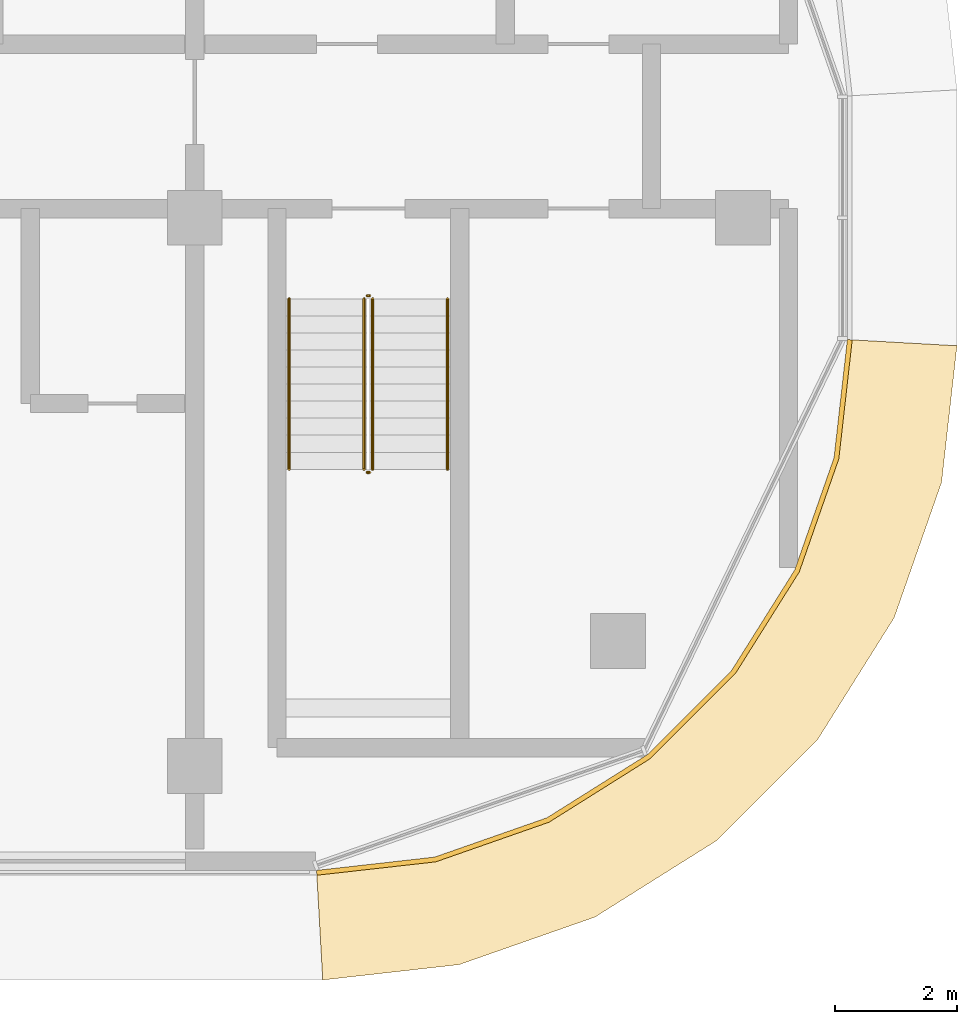
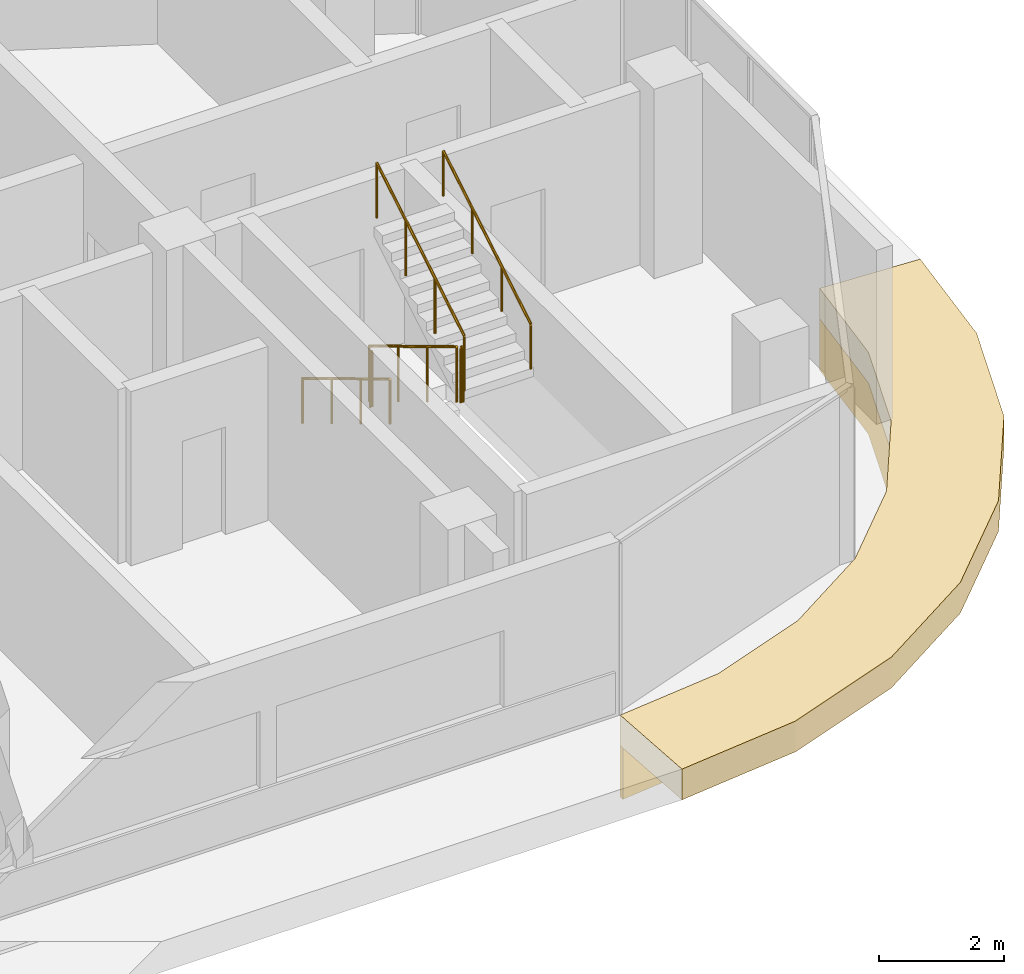
# One storey, part 19 of 20: 6 railings, 2 coverings.
"""IFC4 building model written with IfcOpenShell, lengths in metres."""

from ifc_helpers import new_model, si_unit, direction, frame, origin, origin_2d, place, context, subcontext, project, spatial, polyline, circle, outline, extrude, material, layer, layer_set, type_object, element, save


model = new_model("IFC4")

# Units and contexts
model_context = context("Model", 3, precision=1e-05, world=origin(), true_north=direction((0.0, 1.0)))
body_context = subcontext(model_context, "Body", "Model", "MODEL_VIEW")
ifc_project = project(units=[si_unit("LENGTHUNIT", "METRE"), si_unit("AREAUNIT", "SQUARE_METRE"), si_unit("VOLUMEUNIT", "CUBIC_METRE"), si_unit("PLANEANGLEUNIT", "RADIAN"), si_unit("MASSUNIT", "GRAM", prefix="KILO")], contexts=[model_context])

# Site, building, storey
site_placement = place(None, origin())
site = spatial("IfcSite", under=ifc_project, at=site_placement, CompositionType="ELEMENT")
building_placement = place(site_placement, origin())
building = spatial("IfcBuilding", under=site, at=building_placement, Name="Ogive Portal Towers", CompositionType="ELEMENT")
storey_placement = place(building_placement, frame((0.0, 0.0, 195.800048828125)))
storey = spatial("IfcBuildingStorey", under=building, at=storey_placement, Name="L48", CompositionType="ELEMENT", Elevation=195.800048828125)

# Railings
ifc_material_1 = material(Name="Stainless steel balustrade", Category="steel")
railing_type_1 = type_object("IfcRailingType", Name="INT-GUARD", PredefinedType="GUARDRAIL", material=ifc_material_1)
railing_1_placement = place(storey_placement, frame((88.280029296875, 29.169921875, 0.168212890625)))
element("IfcRailing", 1, at=railing_1_placement, inside=storey, type_object=railing_type_1, Name="L48 ST-A4 stair guard 1", PredefinedType="GUARDRAIL", context=body_context, shape_type="SweptSolid", body=[
    extrude(circle(Radius=0.02392578125, at=origin_2d()), frame((0.0, 0.0, 1.076171875), z_axis=(0.0, -0.857255387014, 0.514891446264), x_axis=(1.0, 0.0, 0.0)), (0.0, 0.0, 1.0), 3.26611328125),
    extrude(circle(Radius=0.02099609375, at=origin_2d()), origin(), (0.0, 0.0, 1.0), 1.052001953125),
    extrude(circle(Radius=0.02099609375, at=origin_2d()), frame((0.0, -0.933349609375, 0.560546875)), (0.0, 0.0, 1.0), 1.052001953125),
    extrude(circle(Radius=0.02099609375, at=origin_2d()), frame((0.0, -1.866455078125, 1.12109375)), (0.0, 0.0, 1.0), 1.052001953125),
    extrude(circle(Radius=0.02099609375, at=origin_2d()), frame((0.0, -2.7998046875, 1.681640625)), (0.0, 0.0, 1.0), 1.052001953125),
])
railing_2_placement = place(storey_placement, frame((88.330078125, 26.320068359375, 1.849853515625)))
element("IfcRailing", 2, at=railing_2_placement, inside=storey, type_object=railing_type_1, Name="L48 ST-A4 stair guard 2", PredefinedType="GUARDRAIL", context=body_context, shape_type="SweptSolid", body=[
    extrude(circle(Radius=0.02392578125, at=origin_2d()), frame((0.0, 0.0, 1.076171875), z_axis=(1.0, 0.0, 0.0), x_axis=(0.0, 1.0, 0.0)), (0.0, 0.0, 1.0), 0.0400390625),
    extrude(circle(Radius=0.02099609375, at=origin_2d()), origin(), (0.0, 0.0, 1.0), 1.052001953125),
    extrude(circle(Radius=0.02099609375, at=origin_2d()), frame((0.0400390625, 0.0, 0.0)), (0.0, 0.0, 1.0), 1.052001953125),
])
railing_3_placement = place(storey_placement, frame((88.419921875, 26.3701171875, 2.01806640625)))
element("IfcRailing", 3, at=railing_3_placement, inside=storey, type_object=railing_type_1, Name="L48 ST-A4 stair guard 3", PredefinedType="GUARDRAIL", context=body_context, shape_type="SweptSolid", body=[
    extrude(circle(Radius=0.02392578125, at=origin_2d()), frame((0.0, 0.0, 1.076171875), z_axis=(0.0, 0.857222391501, 0.514946377315), x_axis=(-1.0, 0.0, 0.0)), (0.0, 0.0, 1.0), 3.26611328125),
    extrude(circle(Radius=0.02099609375, at=origin_2d()), origin(), (0.0, 0.0, 1.0), 1.052001953125),
    extrude(circle(Radius=0.02099609375, at=origin_2d()), frame((0.0, 0.933349609375, 0.560546875)), (0.0, 0.0, 1.0), 1.052001953125),
    extrude(circle(Radius=0.02099609375, at=origin_2d()), frame((0.0, 1.866455078125, 1.121337890625)), (0.0, 0.0, 1.0), 1.052001953125),
    extrude(circle(Radius=0.02099609375, at=origin_2d()), frame((0.0, 2.7998046875, 1.681884765625)), (0.0, 0.0, 1.0), 1.052001953125),
])
railing_4_placement = place(storey_placement, frame((88.330078125, 29.219970703125, 0.0)))
element("IfcRailing", 4, at=railing_4_placement, inside=storey, type_object=railing_type_1, Name="L48 ST-A4 stair guard 4", PredefinedType="GUARDRAIL", context=body_context, shape_type="SweptSolid", body=[
    extrude(circle(Radius=0.02392578125, at=origin_2d()), frame((0.0, 0.0, 1.076171875), z_axis=(1.0, 0.0, 0.0), x_axis=(0.0, 1.0, 0.0)), (0.0, 0.0, 1.0), 0.0400390625),
    extrude(circle(Radius=0.02099609375, at=origin_2d()), origin(), (0.0, 0.0, 1.0), 1.052001953125),
    extrude(circle(Radius=0.02099609375, at=origin_2d()), frame((0.0400390625, 0.0, 0.0)), (0.0, 0.0, 1.0), 1.052001953125),
])
ifc_material_2 = material(Name="Stainless steel handrail", Category="steel")
railing_type_2 = type_object("IfcRailingType", Name="INT-HANDRAIL", PredefinedType="HANDRAIL", material=ifc_material_2)
railing_5_placement = place(storey_placement, frame((87.050048828125, 29.169921875, 0.168212890625)))
element("IfcRailing", 5, at=railing_5_placement, inside=storey, type_object=railing_type_2, Name="L48 ST-A4 stair handrail 1", PredefinedType="HANDRAIL", context=body_context, shape_type="SweptSolid", body=[
    extrude(circle(Radius=0.02392578125, at=origin_2d()), frame((0.0, 0.0, 0.8759765625), z_axis=(0.0, -0.857255387014, 0.514891446264), x_axis=(1.0, 0.0, 0.0)), (0.0, 0.0, 1.0), 3.26611328125),
    extrude(circle(Radius=0.02099609375, at=origin_2d()), origin(), (0.0, 0.0, 1.0), 0.851806640625),
    extrude(circle(Radius=0.02099609375, at=origin_2d()), frame((0.0, -0.933349609375, 0.560546875)), (0.0, 0.0, 1.0), 0.851806640625),
    extrude(circle(Radius=0.02099609375, at=origin_2d()), frame((0.0, -1.866455078125, 1.12109375)), (0.0, 0.0, 1.0), 0.851806640625),
    extrude(circle(Radius=0.02099609375, at=origin_2d()), frame((0.0, -2.7998046875, 1.681640625)), (0.0, 0.0, 1.0), 0.851806640625),
])
railing_6_placement = place(storey_placement, frame((89.64990234375, 26.3701171875, 2.01806640625)))
element("IfcRailing", 6, at=railing_6_placement, inside=storey, type_object=railing_type_2, Name="L48 ST-A4 stair handrail 2", PredefinedType="HANDRAIL", context=body_context, shape_type="SweptSolid", body=[
    extrude(circle(Radius=0.02392578125, at=origin_2d()), frame((0.0, 0.0, 0.8759765625), z_axis=(0.0, 0.857222391501, 0.514946377315), x_axis=(-1.0, 0.0, 0.0)), (0.0, 0.0, 1.0), 3.26611328125),
    extrude(circle(Radius=0.02099609375, at=origin_2d()), origin(), (0.0, 0.0, 1.0), 0.851806640625),
    extrude(circle(Radius=0.02099609375, at=origin_2d()), frame((0.0, 0.933349609375, 0.560546875)), (0.0, 0.0, 1.0), 0.851806640625),
    extrude(circle(Radius=0.02099609375, at=origin_2d()), frame((0.0, 1.866455078125, 1.121337890625)), (0.0, 0.0, 1.0), 0.851806640625),
    extrude(circle(Radius=0.02099609375, at=origin_2d()), frame((0.0, 2.7998046875, 1.681884765625)), (0.0, 0.0, 1.0), 0.851806640625),
])

# Coverings
ifc_material_3 = material(Name="Limestone cladding on lightweight block wall", Category="masonry")
ifc_layer_1 = layer(ifc_material_3, 0.080078125)
ifc_layer_set_1 = layer_set([ifc_layer_1], Name="STONE SPANDREL 80")
covering_type_1 = type_object("IfcCoveringType", Name="STONE SPANDREL 80", PredefinedType="CLADDING", material=ifc_layer_set_1)
covering_1_placement = place(storey_placement, frame((0.0, 0.0, -1.60009765625)))
element("IfcCovering", 7, at=covering_1_placement, inside=storey, type_object=covering_type_1, Name="Stone spandrel A1-F06", PredefinedType="CLADDING", context=body_context, shape_type="SweptSolid", body=[
    extrude(outline(polyline([(87.5, 19.784912109375), (89.439208984375, 20.00341796875), (91.28125, 20.64794921875), (92.93359375, 21.686279296875), (94.313720703125, 23.06640625), (95.35205078125, 24.71875), (95.99658203125, 26.560791015625), (96.215087890625, 28.5), (96.294921875, 28.49560546875), (96.074951171875, 26.542724609375), (95.424560546875, 24.683837890625), (94.376708984375, 23.01611328125), (92.98388671875, 21.623291015625), (91.316162109375, 20.575439453125), (89.457275390625, 19.925048828125), (87.50439453125, 19.705078125), (87.5, 19.784912109375)])), origin(), (0.0, 0.0, 1.0), 1.0),
])
ifc_layer_2 = layer(ifc_material_3, 0.60009765625)
ifc_layer_set_2 = layer_set([ifc_layer_2], Name="SUNSHADE LIP 600")
covering_type_2 = type_object("IfcCoveringType", Name="SUNSHADE LIP 600", PredefinedType="CLADDING", material=ifc_layer_set_2)
covering_2_placement = place(storey_placement, frame((0.0, 0.0, -0.60009765625)))
element("IfcCovering", 8, at=covering_2_placement, inside=storey, type_object=covering_type_2, Name="Sunshade lip A1-F06", PredefinedType="CLADDING", context=body_context, shape_type="SweptSolid", body=[
    extrude(outline(polyline([(87.5, 19.784912109375), (89.439208984375, 20.00341796875), (91.28125, 20.64794921875), (92.93359375, 21.686279296875), (94.313720703125, 23.06640625), (95.35205078125, 24.71875), (95.99658203125, 26.560791015625), (96.215087890625, 28.5), (98.014892578125, 28.39892578125), (97.762451171875, 26.15771484375), (96.98388671875, 23.932861328125), (95.72998046875, 21.93701171875), (94.06298828125, 20.27001953125), (92.067138671875, 19.01611328125), (89.84228515625, 18.237548828125), (87.60107421875, 17.985107421875), (87.5, 19.784912109375)])), origin(), (0.0, 0.0, 1.0), 0.60009765625),
])

save(model, "model.ifc")
